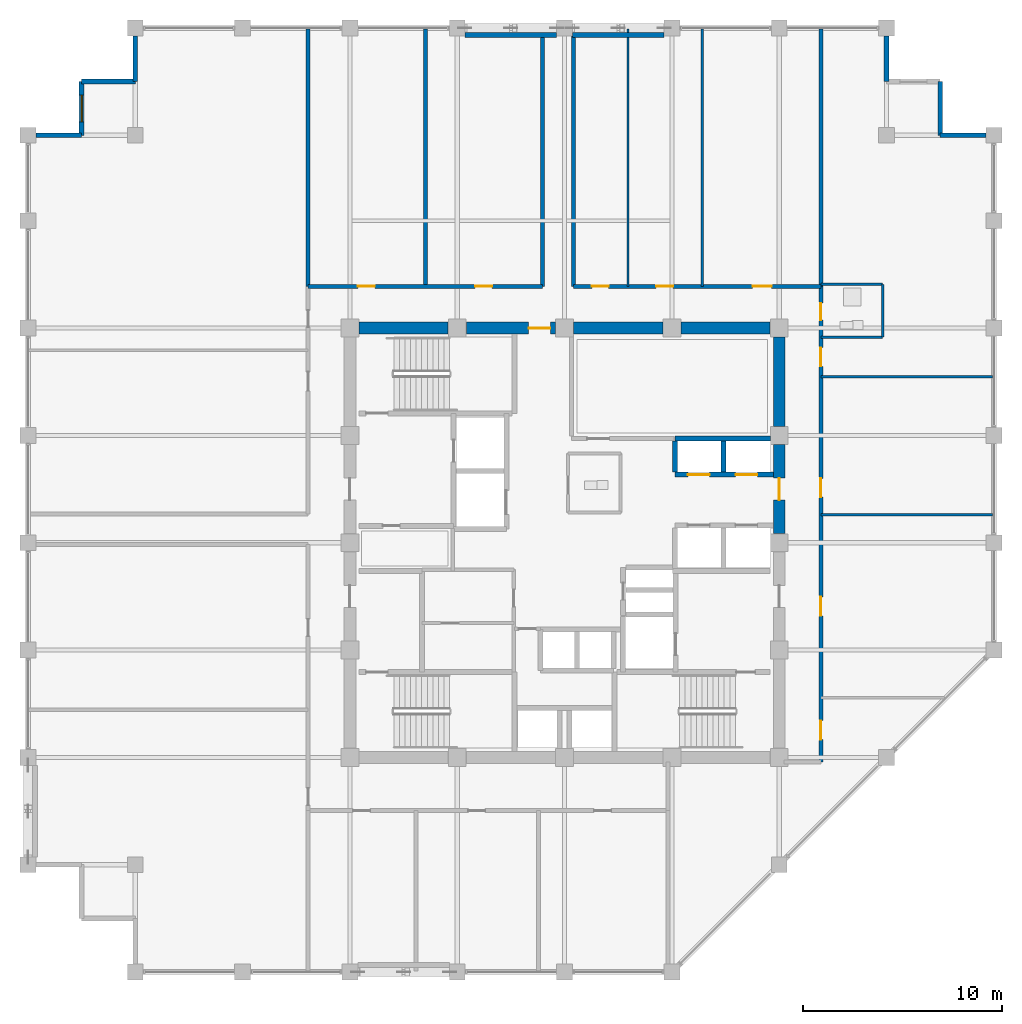
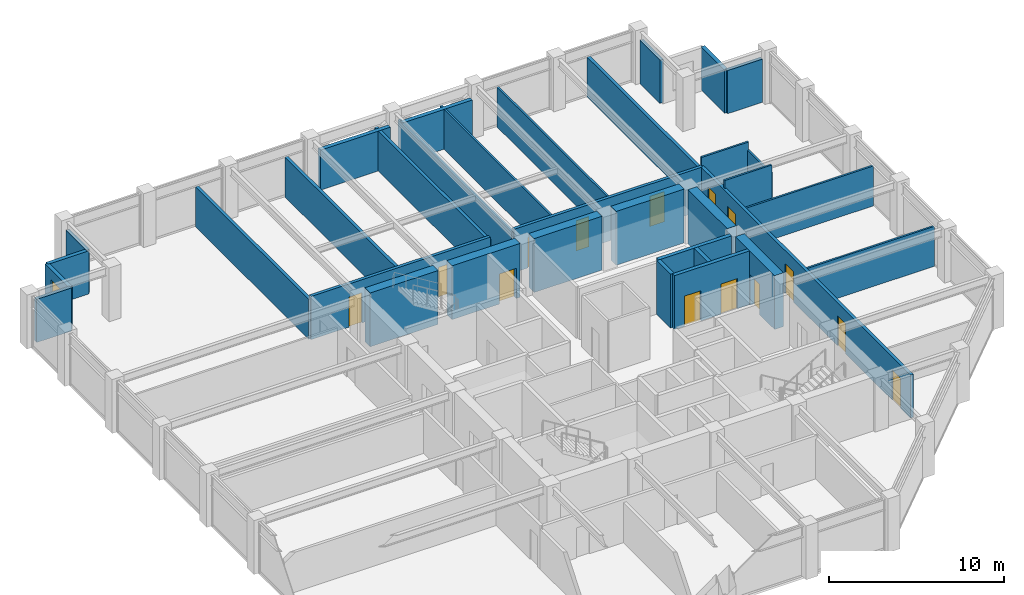
# One storey, part 29 of 32: 34 walls, 14 doors, 1 window, 15 openings.
"""IFC4 building model written with IfcOpenShell, lengths in metres."""

from ifc_helpers import new_model, si_unit, direction, frame, frame_2d, origin, place, context, subcontext, project, spatial, rectangle, extrude, material, layer, layer_set, type_object, element, fill, save


model = new_model("IFC4")

# Units and contexts
model_context = context("Model", 3, precision=1e-05, world=origin(), true_north=direction((0.0, 1.0)))
body_context = subcontext(model_context, "Body", "Model", "MODEL_VIEW")
ifc_project = project(units=[si_unit("LENGTHUNIT", "METRE"), si_unit("AREAUNIT", "SQUARE_METRE"), si_unit("VOLUMEUNIT", "CUBIC_METRE"), si_unit("PLANEANGLEUNIT", "RADIAN"), si_unit("MASSUNIT", "GRAM", prefix="KILO")], contexts=[model_context])

# Site, building, storey
site_placement = place(None, origin())
site = spatial("IfcSite", under=ifc_project, at=site_placement, CompositionType="ELEMENT")
building_placement = place(site_placement, origin())
building = spatial("IfcBuilding", under=site, at=building_placement, Name="Surkhivell Harbour Commons", CompositionType="ELEMENT")
storey_placement = place(building_placement, frame((0.0, 0.0, 219.75)))
storey = spatial("IfcBuildingStorey", under=building, at=storey_placement, Name="L57", CompositionType="ELEMENT", Elevation=219.75)

# Wall
ifc_material_1 = material(Name="Concrete C60/75", Category="concrete")
ifc_layer_1 = layer(ifc_material_1, 0.60009765625)
ifc_layer_set_1 = layer_set([ifc_layer_1], Name="Concrete C60/75")
wall_type_1 = type_object("IfcWallType", Name="WAL-CORE-600", PredefinedType="SHEAR", material=ifc_layer_set_1)
wall_1_placement = place(storey_placement, frame((-10.340087890625, 10.800048828125, 0.0), z_axis=(0.0, 0.0, 1.0), x_axis=(1.0, 0.0, 0.0)))
element("IfcWall", 1, at=wall_1_placement, inside=storey, type_object=wall_type_1, Name="L57 Core Shear Wall North 1", PredefinedType="SHEAR", context=body_context, shape_type="SweptSolid", body=[
    extrude(rectangle(XDim=4.47998046875, YDim=0.60009765625, at=frame_2d((2.239990234375, 0.0))), origin(), (0.0, 0.0, 1.0), 3.75),
])

# Wall, opening, door
wall_2_placement = place(storey_placement, frame((-4.93994140625, 10.800048828125, 0.0), z_axis=(0.0, 0.0, 1.0), x_axis=(1.0, 0.0, 0.0)))
wall_2 = element("IfcWall", 2, at=wall_2_placement, inside=storey, type_object=wall_type_1, Name="L57 Core Shear Wall North 2", PredefinedType="SHEAR", context=body_context, shape_type="SweptSolid", body=[
    extrude(rectangle(XDim=4.47998046875, YDim=0.60009765625, at=frame_2d((2.239990234375, 0.0))), origin(), (0.0, 0.0, 1.0), 3.75),
])
opening_1_placement = place(wall_2_placement, frame((3.1298828125, 0.0, 0.0)))
opening_1 = element("IfcOpeningElement", 3, at=opening_1_placement, cuts=wall_2, Name="Opening ID-2", PredefinedType="OPENING", context=body_context, shape_type="SweptSolid", body=[
    extrude(rectangle(XDim=1.10009765625, YDim=2.10009765625, at=frame_2d((0.550048828125, 1.050048828125))), frame((0.0, 0.31005859375, 0.0), z_axis=(0.0, -1.0, 0.0), x_axis=(1.0, 0.0, 0.0)), (0.0, 0.0, 1.0), 0.6201171875),
])
ifc_material_2 = material(Name="Hardwood-veneered fire-rated door leaf", Category="wood")
door_type_1 = type_object("IfcDoorType", Name="DOR-FD60-1100", OperationType="NOTDEFINED", PredefinedType="DOOR", material=ifc_material_2)
door_1_placement = place(opening_1_placement, origin())
door_1 = element("IfcDoor", 4, at=door_1_placement, inside=storey, type_object=door_type_1, Name="L57 Central Core Lift Hall North Corridor Door", OperationType="SINGLE_SWING_LEFT", OverallHeight=2.10009765625, OverallWidth=1.10009765625, PredefinedType="DOOR", context=body_context, shape_type="SweptSolid", body=[
    extrude(rectangle(XDim=1.10009765625, YDim=2.10009765625, at=frame_2d((0.550048828125, 1.050048828125))), frame((0.0, 0.02490234375, 0.0), z_axis=(0.0, -1.0, 0.0), x_axis=(1.0, 0.0, 0.0)), (0.0, 0.0, 1.0), 0.050048828125),
])
fill(opening_1, door_1)

# Wall
wall_3_placement = place(storey_placement, frame((0.4599609375, 10.800048828125, 0.0), z_axis=(0.0, 0.0, 1.0), x_axis=(1.0, 0.0, 0.0)))
element("IfcWall", 5, at=wall_3_placement, inside=storey, type_object=wall_type_1, Name="L57 Core Shear Wall North 3", PredefinedType="SHEAR", context=body_context, shape_type="SweptSolid", body=[
    extrude(rectangle(XDim=4.47998046875, YDim=0.60009765625, at=frame_2d((2.239990234375, 0.0))), origin(), (0.0, 0.0, 1.0), 3.75),
])

# Wall, opening, door
wall_4_placement = place(storey_placement, frame((10.800048828125, 0.4599609375, 0.0), z_axis=(0.0, 0.0, 1.0), x_axis=(0.0, 1.0, 0.0)))
wall_4 = element("IfcWall", 6, at=wall_4_placement, inside=storey, type_object=wall_type_1, Name="L57 Core Shear Wall East 3", PredefinedType="SHEAR", context=body_context, shape_type="SweptSolid", body=[
    extrude(rectangle(XDim=4.47998046875, YDim=0.60009765625, at=frame_2d((2.239990234375, 0.0))), origin(), (0.0, 0.0, 1.0), 3.75),
])
opening_2_placement = place(wall_4_placement, frame((1.68994140625, 0.0, 0.0)))
opening_2 = element("IfcOpeningElement", 7, at=opening_2_placement, cuts=wall_4, Name="Opening ID-2", PredefinedType="OPENING", context=body_context, shape_type="SweptSolid", body=[
    extrude(rectangle(XDim=1.10009765625, YDim=2.10009765625, at=frame_2d((0.550048828125, 1.050048828125))), frame((0.0, 0.31005859375, 0.0), z_axis=(0.0, -1.0, 0.0), x_axis=(1.0, 0.0, 0.0)), (0.0, 0.0, 1.0), 0.6201171875),
])
door_2_placement = place(opening_2_placement, origin())
door_2 = element("IfcDoor", 8, at=door_2_placement, inside=storey, type_object=door_type_1, Name="L57 Mid-Rise Lobby East Door", OperationType="SINGLE_SWING_LEFT", OverallHeight=2.10009765625, OverallWidth=1.10009765625, PredefinedType="DOOR", context=body_context, shape_type="SweptSolid", body=[
    extrude(rectangle(XDim=1.10009765625, YDim=2.10009765625, at=frame_2d((0.550048828125, 1.050048828125))), frame((0.0, 0.02490234375, 0.0), z_axis=(0.0, -1.0, 0.0), x_axis=(1.0, 0.0, 0.0)), (0.0, 0.0, 1.0), 0.050048828125),
])
fill(opening_2, door_2)

# Walls
for number, where, z_axis, x_axis, name in (
    (9, (5.860107421875, 10.800048828125, 0.0), (0.0, 0.0, 1.0), (1.0, 0.0, 0.0), "L57 Core Shear Wall North 4"),
    (10, (10.800048828125, 5.860107421875, 0.0), (0.0, 0.0, 1.0), (0.0, 1.0, 0.0), "L57 Core Shear Wall East 4"),
):
    element("IfcWall", number, at=place(storey_placement, frame(where, z_axis=z_axis, x_axis=x_axis)), inside=storey, type_object=wall_type_1, Name=name, PredefinedType="SHEAR", context=body_context, shape_type="SweptSolid", body=[
        extrude(rectangle(XDim=4.47998046875, YDim=0.60009765625, at=frame_2d((2.239990234375, 0.0))), origin(), (0.0, 0.0, 1.0), 3.75),
    ])
ifc_material_3 = material(Name="Pale-metal insulated precast concrete C45/55", Category="concrete")
ifc_layer_2 = layer(ifc_material_3, 0.260009765625)
ifc_layer_set_2 = layer_set([ifc_layer_2], Name="Pale-metal insulated precast concrete C45/55")
wall_type_2 = type_object("IfcWallType", Name="WAL-EXT-MTL260", PredefinedType="STANDARD", material=ifc_layer_set_2)
for number, where, z_axis, x_axis, name in (
    (11, (-0.39794921875, 25.5400390625, 0.0), (0.0, 0.0, 1.0), (-1.0, 0.0, 0.0), "L57 Braced-Bay Insulated Spandrel Backing N"),
    (12, (5.001953125, 25.5400390625, 0.0), (0.0, 0.0, 1.0), (-1.0, 0.0, 0.0), "L57 Braced-Bay Insulated Spandrel Backing N2"),
):
    element("IfcWall", number, at=place(storey_placement, frame(where, z_axis=z_axis, x_axis=x_axis)), inside=storey, type_object=wall_type_2, Name=name, PredefinedType="STANDARD", context=body_context, shape_type="SweptSolid", body=[
        extrude(rectangle(XDim=4.60400390625, YDim=0.260009765625, at=frame_2d((2.302001953125, 0.0))), origin(), (0.0, 0.0, 1.0), 2.780029296875),
    ])
ifc_material_4 = material(Name="Bronze-ochre cassette precast concrete C45/55", Category="concrete")
ifc_layer_3 = layer(ifc_material_4, 0.239990234375)
ifc_layer_set_3 = layer_set([ifc_layer_3], Name="Bronze-ochre cassette precast concrete C45/55")
wall_type_3 = type_object("IfcWallType", Name="WAL-EXT-OCH240", PredefinedType="STANDARD", material=ifc_layer_set_3)
wall_5_placement = place(storey_placement, frame((21.201904296875, 20.5, 0.0), z_axis=(0.0, 0.0, 1.0), x_axis=(-1.0, 0.0, 0.0)))
element("IfcWall", 13, at=wall_5_placement, inside=storey, type_object=wall_type_3, Name="L57 Serrated Corner Facade Wall 03", PredefinedType="STANDARD", context=body_context, shape_type="SweptSolid", body=[
    extrude(rectangle(XDim=2.302001953125, YDim=0.239990234375, at=frame_2d((1.15087890625, 0.0))), origin(), (0.0, 0.0, 1.0), 3.006103515625),
])
wall_6_placement = place(storey_placement, frame((18.89990234375, 20.5, 0.0), z_axis=(0.0, 0.0, 1.0), x_axis=(0.0, 1.0, 0.0)))
element("IfcWall", 14, at=wall_6_placement, inside=storey, type_object=wall_type_3, Name="L57 Serrated Corner Facade Wall 04", PredefinedType="STANDARD", context=body_context, shape_type="SweptSolid", body=[
    extrude(rectangle(XDim=2.699951171875, YDim=0.239990234375, at=frame_2d((1.35009765625, 0.0))), origin(), (0.0, 0.0, 1.0), 3.006103515625),
])
for number, where, z_axis, x_axis, name in (
    (15, (16.199951171875, 23.199951171875, 0.0), (0.0, 0.0, 1.0), (0.0, 1.0, 0.0), "L57 Serrated Corner Facade Wall 06"),
    (16, (-21.60009765625, 25.501953125, 0.0), (0.0, 0.0, 1.0), (0.0, -1.0, 0.0), "L57 Serrated Corner Facade Wall 08"),
):
    element("IfcWall", number, at=place(storey_placement, frame(where, z_axis=z_axis, x_axis=x_axis)), inside=storey, type_object=wall_type_3, Name=name, PredefinedType="STANDARD", context=body_context, shape_type="SweptSolid", body=[
        extrude(rectangle(XDim=2.302001953125, YDim=0.239990234375, at=frame_2d((1.15087890625, 0.0))), origin(), (0.0, 0.0, 1.0), 3.006103515625),
    ])
wall_7_placement = place(storey_placement, frame((-21.60009765625, 23.199951171875, 0.0), z_axis=(0.0, 0.0, 1.0), x_axis=(-1.0, 0.0, 0.0)))
element("IfcWall", 17, at=wall_7_placement, inside=storey, type_object=wall_type_3, Name="L57 Serrated Corner Facade Wall 09", PredefinedType="STANDARD", context=body_context, shape_type="SweptSolid", body=[
    extrude(rectangle(XDim=2.699951171875, YDim=0.239990234375, at=frame_2d((1.35009765625, 0.0))), origin(), (0.0, 0.0, 1.0), 3.006103515625),
])

# Wall, opening, window
wall_8_placement = place(storey_placement, frame((-24.300048828125, 23.199951171875, 0.0), z_axis=(0.0, 0.0, 1.0), x_axis=(0.0, -1.0, 0.0)))
wall_8 = element("IfcWall", 18, at=wall_8_placement, inside=storey, type_object=wall_type_3, Name="L57 Serrated Corner Facade Wall 10", PredefinedType="STANDARD", context=body_context, shape_type="SweptSolid", body=[
    extrude(rectangle(XDim=2.699951171875, YDim=0.239990234375, at=frame_2d((1.35009765625, 0.0))), origin(), (0.0, 0.0, 1.0), 3.006103515625),
])
opening_3_placement = place(wall_8_placement, frame((0.675048828125, 0.0, 0.64990234375)))
opening_3 = element("IfcOpeningElement", 19, at=opening_3_placement, cuts=wall_8, Name="Opening WN-08", PredefinedType="OPENING", context=body_context, shape_type="SweptSolid", body=[
    extrude(rectangle(XDim=1.35009765625, YDim=1.64990234375, at=frame_2d((0.675048828125, 0.824951171875))), frame((0.0, 0.1298828125, 0.0), z_axis=(0.0, -1.0, 0.0), x_axis=(1.0, 0.0, 0.0)), (0.0, 0.0, 1.0), 0.260009765625),
])
ifc_material_5 = material(Name="Thermal-break aluminium frame and double low-E glazing", Category="aluminium")
window_type = type_object("IfcWindowType", Name="WIN-SER-1350x1650", PartitioningType="SINGLE_PANEL", PredefinedType="WINDOW", material=ifc_material_5)
window_placement = place(opening_3_placement, origin())
window = element("IfcWindow", 20, at=window_placement, inside=storey, type_object=window_type, Name="L57 Serrated Alcove Window 10", OverallHeight=1.64990234375, OverallWidth=1.35009765625, PartitioningType="SINGLE_PANEL", PredefinedType="WINDOW", context=body_context, shape_type="SweptSolid", body=[
    extrude(rectangle(XDim=1.35009765625, YDim=1.64990234375, at=frame_2d((0.675048828125, 0.824951171875))), frame((0.0, 0.030029296875, 0.0), z_axis=(0.0, -1.0, 0.0), x_axis=(1.0, 0.0, 0.0)), (0.0, 0.0, 1.0), 0.06005859375),
])
fill(opening_3, window)

# Walls
wall_9_placement = place(storey_placement, frame((-24.300048828125, 20.5, 0.0), z_axis=(0.0, 0.0, 1.0), x_axis=(-1.0, 0.0, 0.0)))
element("IfcWall", 21, at=wall_9_placement, inside=storey, type_object=wall_type_3, Name="L57 Serrated Corner Facade Wall 11", PredefinedType="STANDARD", context=body_context, shape_type="SweptSolid", body=[
    extrude(rectangle(XDim=2.302001953125, YDim=0.239990234375, at=frame_2d((1.15087890625, 0.0))), origin(), (0.0, 0.0, 1.0), 3.006103515625),
])
ifc_material_6 = material(Name="Moisture-resistant acoustic stud partition", Category="other")
ifc_layer_4 = layer(ifc_material_6, 0.125)
ifc_layer_set_4 = layer_set([ifc_layer_4], Name="Moisture-resistant acoustic stud partition")
wall_type_4 = type_object("IfcWallType", Name="WAL-INT-125", PredefinedType="PARTITIONING", material=ifc_layer_set_4)
wall_10_placement = place(storey_placement, frame((12.89990234375, 1.409912109375, 0.0), z_axis=(0.0, 0.0, 1.0), x_axis=(1.0, 0.0, 0.0)))
element("IfcWall", 22, at=wall_10_placement, inside=storey, type_object=wall_type_4, Name="L57 East Partition BDP1", PredefinedType="PARTITIONING", context=body_context, shape_type="SweptSolid", body=[
    extrude(rectangle(XDim=8.64013671875, YDim=0.125, at=frame_2d((4.320068359375, 0.0))), origin(), (0.0, 0.0, 1.0), 2.780029296875),
])
wall_11_placement = place(storey_placement, frame((16.0, 10.35009765625, 0.0), z_axis=(0.0, 0.0, 1.0), x_axis=(0.0, 1.0, 0.0)))
element("IfcWall", 23, at=wall_11_placement, inside=storey, type_object=wall_type_4, Name="L57 East Partition BTHB", PredefinedType="PARTITIONING", context=body_context, shape_type="SweptSolid", body=[
    extrude(rectangle(XDim=2.64990234375, YDim=0.125, at=frame_2d((1.324951171875, 0.0))), origin(), (0.0, 0.0, 1.0), 3.006103515625),
])
for number, where, z_axis, x_axis, name in (
    (24, (12.89990234375, 13.0, 0.0), (0.0, 0.0, 1.0), (1.0, 0.0, 0.0), "L57 East Partition BTHN"),
    (25, (12.89990234375, 10.35009765625, 0.0), (0.0, 0.0, 1.0), (1.0, 0.0, 0.0), "L57 East Partition BTHS"),
):
    element("IfcWall", number, at=place(storey_placement, frame(where, z_axis=z_axis, x_axis=x_axis)), inside=storey, type_object=wall_type_4, Name=name, PredefinedType="PARTITIONING", context=body_context, shape_type="SweptSolid", body=[
        extrude(rectangle(XDim=3.10009765625, YDim=0.125, at=frame_2d((1.550048828125, 0.0))), origin(), (0.0, 0.0, 1.0), 3.570068359375),
    ])
wall_12_placement = place(storey_placement, frame((12.89990234375, 8.35009765625, 0.0), z_axis=(0.0, 0.0, 1.0), x_axis=(1.0, 0.0, 0.0)))
element("IfcWall", 26, at=wall_12_placement, inside=storey, type_object=wall_type_4, Name="L57 East Partition PTOP", PredefinedType="PARTITIONING", context=body_context, shape_type="SweptSolid", body=[
    extrude(rectangle(XDim=8.64013671875, YDim=0.125, at=frame_2d((4.320068359375, 0.0))), origin(), (0.0, 0.0, 1.0), 2.780029296875),
])
for number, where, z_axis, x_axis, name in (
    (27, (3.18994140625, 12.89990234375, 0.0), (0.0, 0.0, 1.0), (0.0, 1.0, 0.0), "L57 North-East Partition P1"),
    (28, (6.919921875, 12.89990234375, 0.0), (0.0, 0.0, 1.0), (0.0, 1.0, 0.0), "L57 North-East Partition P2"),
):
    element("IfcWall", number, at=place(storey_placement, frame(where, z_axis=z_axis, x_axis=x_axis)), inside=storey, type_object=wall_type_4, Name=name, PredefinedType="PARTITIONING", context=body_context, shape_type="SweptSolid", body=[
        extrude(rectangle(XDim=12.940185546875, YDim=0.125, at=frame_2d((6.47021484375, 0.0))), origin(), (0.0, 0.0, 1.0), 2.780029296875),
    ])
ifc_material_7 = material(Name="Autoclaved aerated concrete blockwork and fire plaster", Category="masonry")
ifc_layer_5 = layer(ifc_material_7, 0.199951171875)
ifc_layer_set_5 = layer_set([ifc_layer_5], Name="Autoclaved aerated concrete blockwork and fire plaster")
wall_type_5 = type_object("IfcWallType", Name="WAL-INT-200", PredefinedType="PARTITIONING", material=ifc_layer_set_5)
for number, where, z_axis, x_axis, name in (
    (29, (12.89990234375, 12.89990234375, 0.0), (0.0, 0.0, 1.0), (0.0, 1.0, 0.0), "L57 North-East Corner Wall"),
    (30, (-12.89990234375, 12.89990234375, 0.0), (0.0, 0.0, 1.0), (0.0, 1.0, 0.0), "L57 North-West Corner Wall"),
):
    element("IfcWall", number, at=place(storey_placement, frame(where, z_axis=z_axis, x_axis=x_axis)), inside=storey, type_object=wall_type_5, Name=name, PredefinedType="PARTITIONING", context=body_context, shape_type="SweptSolid", body=[
        extrude(rectangle(XDim=12.940185546875, YDim=0.199951171875, at=frame_2d((6.47021484375, 0.0))), origin(), (0.0, 0.0, 1.0), 2.780029296875),
    ])

# Wall, openings, doors
wall_13_placement = place(storey_placement, frame((12.89990234375, -11.0400390625, 0.0), z_axis=(0.0, 0.0, 1.0), x_axis=(0.0, 1.0, 0.0)))
wall_13 = element("IfcWall", 31, at=wall_13_placement, inside=storey, type_object=wall_type_5, Name="L57 Corridor East Wall", PredefinedType="PARTITIONING", context=body_context, shape_type="SweptSolid", body=[
    extrude(rectangle(XDim=23.93994140625, YDim=0.199951171875, at=frame_2d((11.969970703125, 0.0))), origin(), (0.0, 0.0, 1.0), 3.006103515625),
])
opening_4_placement = place(wall_13_placement, frame((1.139892578125, 0.0, 0.0)))
opening_4 = element("IfcOpeningElement", 32, at=opening_4_placement, cuts=wall_13, Name="Opening ID-4", PredefinedType="OPENING", context=body_context, shape_type="SweptSolid", body=[
    extrude(rectangle(XDim=0.949951171875, YDim=2.10009765625, at=frame_2d((0.47509765625, 1.050048828125))), frame((0.0, 0.10986328125, 0.0), z_axis=(0.0, -1.0, 0.0), x_axis=(1.0, 0.0, 0.0)), (0.0, 0.0, 1.0), 0.219970703125),
])
opening_5_placement = place(wall_13_placement, frame((22.2451171875, 0.0, 0.0)))
opening_5 = element("IfcOpeningElement", 33, at=opening_5_placement, cuts=wall_13, Name="Opening ID-6", PredefinedType="OPENING", context=body_context, shape_type="SweptSolid", body=[
    extrude(rectangle(XDim=0.85009765625, YDim=2.10009765625, at=frame_2d((0.425048828125, 1.050048828125))), frame((0.0, 0.10986328125, 0.0), z_axis=(0.0, -1.0, 0.0), x_axis=(1.0, 0.0, 0.0)), (0.0, 0.0, 1.0), 0.219970703125),
])
opening_6_placement = place(wall_13_placement, frame((19.909912109375, 0.0, 0.0)))
opening_6 = element("IfcOpeningElement", 34, at=opening_6_placement, cuts=wall_13, Name="Opening ID-4", PredefinedType="OPENING", context=body_context, shape_type="SweptSolid", body=[
    extrude(rectangle(XDim=0.949951171875, YDim=2.10009765625, at=frame_2d((0.47509765625, 1.050048828125))), frame((0.0, 0.10986328125, 0.0), z_axis=(0.0, -1.0, 0.0), x_axis=(1.0, 0.0, 0.0)), (0.0, 0.0, 1.0), 0.219970703125),
])
opening_7_placement = place(wall_13_placement, frame((7.364990234375, 0.0, 0.0)))
opening_7 = element("IfcOpeningElement", 35, at=opening_7_placement, cuts=wall_13, Name="Opening ID-4", PredefinedType="OPENING", context=body_context, shape_type="SweptSolid", body=[
    extrude(rectangle(XDim=0.949951171875, YDim=2.10009765625, at=frame_2d((0.47509765625, 1.050048828125))), frame((0.0, 0.10986328125, 0.0), z_axis=(0.0, -1.0, 0.0), x_axis=(1.0, 0.0, 0.0)), (0.0, 0.0, 1.0), 0.219970703125),
])
opening_8_placement = place(wall_13_placement, frame((13.333251953125, 0.0, 0.0)))
opening_8 = element("IfcOpeningElement", 36, at=opening_8_placement, cuts=wall_13, Name="Opening ID-4", PredefinedType="OPENING", context=body_context, shape_type="SweptSolid", body=[
    extrude(rectangle(XDim=0.949951171875, YDim=2.10009765625, at=frame_2d((0.47509765625, 1.050048828125))), frame((0.0, 0.10986328125, 0.0), z_axis=(0.0, -1.0, 0.0), x_axis=(1.0, 0.0, 0.0)), (0.0, 0.0, 1.0), 0.219970703125),
])
door_type_2 = type_object("IfcDoorType", Name="DOR-FD30-850", OperationType="NOTDEFINED", PredefinedType="DOOR", material=ifc_material_2)
door_3_placement = place(opening_5_placement, origin())
door_3 = element("IfcDoor", 37, at=door_3_placement, inside=storey, type_object=door_type_2, Name="L57 Communal Shower Bathroom East Door", OperationType="SINGLE_SWING_RIGHT", OverallHeight=2.10009765625, OverallWidth=0.85009765625, PredefinedType="DOOR", context=body_context, shape_type="SweptSolid", body=[
    extrude(rectangle(XDim=0.85009765625, YDim=2.10009765625, at=frame_2d((0.425048828125, 1.050048828125))), frame((0.0, 0.02490234375, 0.0), z_axis=(0.0, -1.0, 0.0), x_axis=(1.0, 0.0, 0.0)), (0.0, 0.0, 1.0), 0.050048828125),
])
fill(opening_5, door_3)
door_type_3 = type_object("IfcDoorType", Name="DOR-FD60-950", OperationType="NOTDEFINED", PredefinedType="DOOR", material=ifc_material_2)
door_4_placement = place(opening_4_placement, origin())
door_4 = element("IfcDoor", 38, at=door_4_placement, inside=storey, type_object=door_type_3, Name="L57 Shared Communal Kitchen East Door", OperationType="SINGLE_SWING_LEFT", OverallHeight=2.10009765625, OverallWidth=0.949951171875, PredefinedType="DOOR", context=body_context, shape_type="SweptSolid", body=[
    extrude(rectangle(XDim=0.949951171875, YDim=2.10009765625, at=frame_2d((0.47509765625, 1.050048828125))), frame((0.0, 0.02490234375, 0.0), z_axis=(0.0, -1.0, 0.0), x_axis=(1.0, 0.0, 0.0)), (0.0, 0.0, 1.0), 0.050048828125),
])
fill(opening_4, door_4)
door_5_placement = place(opening_6_placement, origin())
door_5 = element("IfcDoor", 39, at=door_5_placement, inside=storey, type_object=door_type_3, Name="L57 Academic Reading Commons East Door", OperationType="SINGLE_SWING_LEFT", OverallHeight=2.10009765625, OverallWidth=0.949951171875, PredefinedType="DOOR", context=body_context, shape_type="SweptSolid", body=[
    extrude(rectangle(XDim=0.949951171875, YDim=2.10009765625, at=frame_2d((0.47509765625, 1.050048828125))), frame((0.0, 0.02490234375, 0.0), z_axis=(0.0, -1.0, 0.0), x_axis=(1.0, 0.0, 0.0)), (0.0, 0.0, 1.0), 0.050048828125),
])
fill(opening_6, door_5)
door_6_placement = place(opening_7_placement, origin())
door_6 = element("IfcDoor", 40, at=door_6_placement, inside=storey, type_object=door_type_3, Name="L57 Hostel Cluster Bedroom 1 East Door", OperationType="SINGLE_SWING_RIGHT", OverallHeight=2.10009765625, OverallWidth=0.949951171875, PredefinedType="DOOR", context=body_context, shape_type="SweptSolid", body=[
    extrude(rectangle(XDim=0.949951171875, YDim=2.10009765625, at=frame_2d((0.47509765625, 1.050048828125))), frame((0.0, 0.02490234375, 0.0), z_axis=(0.0, -1.0, 0.0), x_axis=(1.0, 0.0, 0.0)), (0.0, 0.0, 1.0), 0.050048828125),
])
fill(opening_7, door_6)
door_7_placement = place(opening_8_placement, origin())
door_7 = element("IfcDoor", 41, at=door_7_placement, inside=storey, type_object=door_type_3, Name="L57 Co-Living Dormitory Bedroom 2 East Door", OperationType="SINGLE_SWING_LEFT", OverallHeight=2.10009765625, OverallWidth=0.949951171875, PredefinedType="DOOR", context=body_context, shape_type="SweptSolid", body=[
    extrude(rectangle(XDim=0.949951171875, YDim=2.10009765625, at=frame_2d((0.47509765625, 1.050048828125))), frame((0.0, 0.02490234375, 0.0), z_axis=(0.0, -1.0, 0.0), x_axis=(1.0, 0.0, 0.0)), (0.0, 0.0, 1.0), 0.050048828125),
])
fill(opening_8, door_7)

wall_14_placement = place(storey_placement, frame((-12.89990234375, 12.89990234375, 0.0), z_axis=(0.0, 0.0, 1.0), x_axis=(1.0, 0.0, 0.0)))
wall_14 = element("IfcWall", 42, at=wall_14_placement, inside=storey, type_object=wall_type_5, Name="L57 Corridor North-West Wall", PredefinedType="PARTITIONING", context=body_context, shape_type="SweptSolid", body=[
    extrude(rectangle(XDim=11.7998046875, YDim=0.199951171875, at=frame_2d((5.89990234375, 0.0))), origin(), (0.0, 0.0, 1.0), 3.006103515625),
])
opening_9_placement = place(wall_14_placement, frame((2.5, 0.0, 0.0)))
opening_9 = element("IfcOpeningElement", 43, at=opening_9_placement, cuts=wall_14, Name="Opening ID-6", PredefinedType="OPENING", context=body_context, shape_type="SweptSolid", body=[
    extrude(rectangle(XDim=0.85009765625, YDim=2.10009765625, at=frame_2d((0.425048828125, 1.050048828125))), frame((0.0, 0.10986328125, 0.0), z_axis=(0.0, -1.0, 0.0), x_axis=(1.0, 0.0, 0.0)), (0.0, 0.0, 1.0), 0.219970703125),
])
opening_10_placement = place(wall_14_placement, frame((8.39990234375, 0.0, 0.0)))
opening_10 = element("IfcOpeningElement", 44, at=opening_10_placement, cuts=wall_14, Name="Opening ID-6", PredefinedType="OPENING", context=body_context, shape_type="SweptSolid", body=[
    extrude(rectangle(XDim=0.85009765625, YDim=2.10009765625, at=frame_2d((0.425048828125, 1.050048828125))), frame((0.0, 0.10986328125, 0.0), z_axis=(0.0, -1.0, 0.0), x_axis=(1.0, 0.0, 0.0)), (0.0, 0.0, 1.0), 0.219970703125),
])
door_8_placement = place(opening_9_placement, origin())
door_8 = element("IfcDoor", 45, at=door_8_placement, inside=storey, type_object=door_type_2, Name="L57 Campus Co-Op Bookshop North-West Door", OperationType="SINGLE_SWING_RIGHT", OverallHeight=2.10009765625, OverallWidth=0.85009765625, PredefinedType="DOOR", context=body_context, shape_type="SweptSolid", body=[
    extrude(rectangle(XDim=0.85009765625, YDim=2.10009765625, at=frame_2d((0.425048828125, 1.050048828125))), frame((0.0, 0.02490234375, 0.0), z_axis=(0.0, -1.0, 0.0), x_axis=(1.0, 0.0, 0.0)), (0.0, 0.0, 1.0), 0.050048828125),
])
fill(opening_9, door_8)
door_9_placement = place(opening_10_placement, origin())
door_9 = element("IfcDoor", 46, at=door_9_placement, inside=storey, type_object=door_type_2, Name="L57 Harbour Espresso Cafe Shop North-West Door", OperationType="SINGLE_SWING_LEFT", OverallHeight=2.10009765625, OverallWidth=0.85009765625, PredefinedType="DOOR", context=body_context, shape_type="SweptSolid", body=[
    extrude(rectangle(XDim=0.85009765625, YDim=2.10009765625, at=frame_2d((0.425048828125, 1.050048828125))), frame((0.0, 0.02490234375, 0.0), z_axis=(0.0, -1.0, 0.0), x_axis=(1.0, 0.0, 0.0)), (0.0, 0.0, 1.0), 0.050048828125),
])
fill(opening_10, door_9)

wall_15_placement = place(storey_placement, frame((0.449951171875, 12.89990234375, 0.0), z_axis=(0.0, 0.0, 1.0), x_axis=(1.0, 0.0, 0.0)))
wall_15 = element("IfcWall", 47, at=wall_15_placement, inside=storey, type_object=wall_type_5, Name="L57 Corridor North-East Wall", PredefinedType="PARTITIONING", context=body_context, shape_type="SweptSolid", body=[
    extrude(rectangle(XDim=12.449951171875, YDim=0.199951171875, at=frame_2d((6.22509765625, 0.0))), origin(), (0.0, 0.0, 1.0), 3.006103515625),
])
opening_11_placement = place(wall_15_placement, frame((0.919921875, 0.0, 0.0)))
opening_11 = element("IfcOpeningElement", 48, at=opening_11_placement, cuts=wall_15, Name="Opening ID-6", PredefinedType="OPENING", context=body_context, shape_type="SweptSolid", body=[
    extrude(rectangle(XDim=0.85009765625, YDim=2.10009765625, at=frame_2d((0.425048828125, 1.050048828125))), frame((0.0, 0.10986328125, 0.0), z_axis=(0.0, -1.0, 0.0), x_axis=(1.0, 0.0, 0.0)), (0.0, 0.0, 1.0), 0.219970703125),
])
opening_12_placement = place(wall_15_placement, frame((4.155029296875, 0.0, 0.0)))
opening_12 = element("IfcOpeningElement", 49, at=opening_12_placement, cuts=wall_15, Name="Opening ID-6", PredefinedType="OPENING", context=body_context, shape_type="SweptSolid", body=[
    extrude(rectangle(XDim=0.85009765625, YDim=2.10009765625, at=frame_2d((0.425048828125, 1.050048828125))), frame((0.0, 0.10986328125, 0.0), z_axis=(0.0, -1.0, 0.0), x_axis=(1.0, 0.0, 0.0)), (0.0, 0.0, 1.0), 0.219970703125),
])
opening_13_placement = place(wall_15_placement, frame((9.010009765625, 0.0, 0.0)))
opening_13 = element("IfcOpeningElement", 50, at=opening_13_placement, cuts=wall_15, Name="Opening ID-4", PredefinedType="OPENING", context=body_context, shape_type="SweptSolid", body=[
    extrude(rectangle(XDim=0.949951171875, YDim=2.10009765625, at=frame_2d((0.47509765625, 1.050048828125))), frame((0.0, 0.10986328125, 0.0), z_axis=(0.0, -1.0, 0.0), x_axis=(1.0, 0.0, 0.0)), (0.0, 0.0, 1.0), 0.219970703125),
])
door_10_placement = place(opening_11_placement, origin())
door_10 = element("IfcDoor", 51, at=door_10_placement, inside=storey, type_object=door_type_2, Name="L57 Co-Working Study Office 1 North-East Door", OperationType="SINGLE_SWING_RIGHT", OverallHeight=2.10009765625, OverallWidth=0.85009765625, PredefinedType="DOOR", context=body_context, shape_type="SweptSolid", body=[
    extrude(rectangle(XDim=0.85009765625, YDim=2.10009765625, at=frame_2d((0.425048828125, 1.050048828125))), frame((0.0, 0.02490234375, 0.0), z_axis=(0.0, -1.0, 0.0), x_axis=(1.0, 0.0, 0.0)), (0.0, 0.0, 1.0), 0.050048828125),
])
fill(opening_11, door_10)
door_11_placement = place(opening_12_placement, origin())
door_11 = element("IfcDoor", 52, at=door_11_placement, inside=storey, type_object=door_type_2, Name="L57 Co-Working Study Office 2 North-East Door", OperationType="SINGLE_SWING_LEFT", OverallHeight=2.10009765625, OverallWidth=0.85009765625, PredefinedType="DOOR", context=body_context, shape_type="SweptSolid", body=[
    extrude(rectangle(XDim=0.85009765625, YDim=2.10009765625, at=frame_2d((0.425048828125, 1.050048828125))), frame((0.0, 0.02490234375, 0.0), z_axis=(0.0, -1.0, 0.0), x_axis=(1.0, 0.0, 0.0)), (0.0, 0.0, 1.0), 0.050048828125),
])
fill(opening_12, door_11)
door_12_placement = place(opening_13_placement, origin())
door_12 = element("IfcDoor", 53, at=door_12_placement, inside=storey, type_object=door_type_3, Name="L57 Co-Working Study Office 3 North-East Door", OperationType="SINGLE_SWING_RIGHT", OverallHeight=2.10009765625, OverallWidth=0.949951171875, PredefinedType="DOOR", context=body_context, shape_type="SweptSolid", body=[
    extrude(rectangle(XDim=0.949951171875, YDim=2.10009765625, at=frame_2d((0.47509765625, 1.050048828125))), frame((0.0, 0.02490234375, 0.0), z_axis=(0.0, -1.0, 0.0), x_axis=(1.0, 0.0, 0.0)), (0.0, 0.0, 1.0), 0.050048828125),
])
fill(opening_13, door_12)

# Walls
for number, where, z_axis, x_axis, name in (
    (54, (0.449951171875, 12.89990234375, 0.0), (0.0, 0.0, 1.0), (0.0, 1.0, 0.0), "L57 North Spur East Wall"),
    (55, (-1.10009765625, 12.89990234375, 0.0), (0.0, 0.0, 1.0), (0.0, 1.0, 0.0), "L57 North Spur West Wall"),
    (56, (-7.0, 12.89990234375, 0.0), (0.0, 0.0, 1.0), (0.0, 1.0, 0.0), "L57 North-West Partition P1"),
):
    element("IfcWall", number, at=place(storey_placement, frame(where, z_axis=z_axis, x_axis=x_axis)), inside=storey, type_object=wall_type_5, Name=name, PredefinedType="PARTITIONING", context=body_context, shape_type="SweptSolid", body=[
        extrude(rectangle(XDim=12.940185546875, YDim=0.199951171875, at=frame_2d((6.47021484375, 0.0))), origin(), (0.0, 0.0, 1.0), 2.780029296875),
    ])
ifc_material_8 = material(Name="Concrete C50/60", Category="concrete")
ifc_layer_6 = layer(ifc_material_8, 0.25)
ifc_layer_set_6 = layer_set([ifc_layer_6], Name="Concrete C50/60")
wall_type_6 = type_object("IfcWallType", Name="WAL-SHAFT-250", PredefinedType="SHEAR", material=ifc_layer_set_6)
for number, where, z_axis, x_axis, name in (
    (57, (5.550048828125, 3.550048828125, 0.0), (0.0, 0.0, 1.0), (0.0, 1.0, 0.0), "L57 Mid-Rise Shaft Side Wall N"),
    (58, (8.0, 3.550048828125, 0.0), (0.0, 0.0, 1.0), (0.0, 1.0, 0.0), "L57 Mid-Rise Shaft Side Wall N"),
):
    element("IfcWall", number, at=place(storey_placement, frame(where, z_axis=z_axis, x_axis=x_axis)), inside=storey, type_object=wall_type_6, Name=name, PredefinedType="SHEAR", context=body_context, shape_type="SweptSolid", body=[
        extrude(rectangle(XDim=1.570068359375, YDim=0.25, at=frame_2d((0.78515625, 0.0))), origin(), (0.0, 0.0, 1.0), 3.75),
    ])

# Wall, openings, doors
wall_16_placement = place(storey_placement, frame((5.550048828125, 3.429931640625, 0.0), z_axis=(0.0, 0.0, 1.0), x_axis=(1.0, 0.0, 0.0)))
wall_16 = element("IfcWall", 59, at=wall_16_placement, inside=storey, type_object=wall_type_6, Name="L57 Mid-Rise North Front Shaft Wall", PredefinedType="SHEAR", context=body_context, shape_type="SweptSolid", body=[
    extrude(rectangle(XDim=4.949951171875, YDim=0.25, at=frame_2d((2.47509765625, 0.0))), origin(), (0.0, 0.0, 1.0), 3.75),
])
opening_14_placement = place(wall_16_placement, frame((0.64990234375, 0.0, 0.0)))
opening_14 = element("IfcOpeningElement", 60, at=opening_14_placement, cuts=wall_16, Name="Opening LD-1", PredefinedType="OPENING", context=body_context, shape_type="SweptSolid", body=[
    extrude(rectangle(XDim=1.10009765625, YDim=2.10009765625, at=frame_2d((0.550048828125, 1.050048828125))), frame((0.0, 0.135009765625, 0.0), z_axis=(0.0, -1.0, 0.0), x_axis=(1.0, 0.0, 0.0)), (0.0, 0.0, 1.0), 0.27001953125),
])
opening_15_placement = place(wall_16_placement, frame((3.050048828125, 0.0, 0.0)))
opening_15 = element("IfcOpeningElement", 61, at=opening_15_placement, cuts=wall_16, Name="Opening LD-1", PredefinedType="OPENING", context=body_context, shape_type="SweptSolid", body=[
    extrude(rectangle(XDim=1.10009765625, YDim=2.10009765625, at=frame_2d((0.550048828125, 1.050048828125))), frame((0.0, 0.135009765625, 0.0), z_axis=(0.0, -1.0, 0.0), x_axis=(1.0, 0.0, 0.0)), (0.0, 0.0, 1.0), 0.27001953125),
])
ifc_material_9 = material(Name="Brushed stainless steel S355", Category="steel")
door_type_4 = type_object("IfcDoorType", Name="DOR-LD-1100", OperationType="SLIDING_TO_LEFT", PredefinedType="DOOR", material=ifc_material_9)
door_13_placement = place(opening_14_placement, origin())
door_13 = element("IfcDoor", 62, at=door_13_placement, inside=storey, type_object=door_type_4, Name="L57 Lift Landing Door LD-PM1", OperationType="SLIDING_TO_RIGHT", OverallHeight=2.10009765625, OverallWidth=1.10009765625, PredefinedType="DOOR", context=body_context, shape_type="SweptSolid", body=[
    extrude(rectangle(XDim=1.10009765625, YDim=2.10009765625, at=frame_2d((0.550048828125, 1.050048828125))), frame((0.0, 0.02490234375, 0.0), z_axis=(0.0, -1.0, 0.0), x_axis=(1.0, 0.0, 0.0)), (0.0, 0.0, 1.0), 0.050048828125),
])
fill(opening_14, door_13)
door_14_placement = place(opening_15_placement, origin())
door_14 = element("IfcDoor", 63, at=door_14_placement, inside=storey, type_object=door_type_4, Name="L57 Lift Landing Door LD-PM2", OperationType="SLIDING_TO_RIGHT", OverallHeight=2.10009765625, OverallWidth=1.10009765625, PredefinedType="DOOR", context=body_context, shape_type="SweptSolid", body=[
    extrude(rectangle(XDim=1.10009765625, YDim=2.10009765625, at=frame_2d((0.550048828125, 1.050048828125))), frame((0.0, 0.02490234375, 0.0), z_axis=(0.0, -1.0, 0.0), x_axis=(1.0, 0.0, 0.0)), (0.0, 0.0, 1.0), 0.050048828125),
])
fill(opening_15, door_14)

# Wall
wall_17_placement = place(storey_placement, frame((5.550048828125, 5.239990234375, 0.0), z_axis=(0.0, 0.0, 1.0), x_axis=(1.0, 0.0, 0.0)))
element("IfcWall", 64, at=wall_17_placement, inside=storey, type_object=wall_type_6, Name="L57 Mid-Rise North Back Shaft Wall", PredefinedType="SHEAR", context=body_context, shape_type="SweptSolid", body=[
    extrude(rectangle(XDim=4.800048828125, YDim=0.25, at=frame_2d((2.39990234375, 0.0))), origin(), (0.0, 0.0, 1.0), 3.75),
])

save(model, "model.ifc")
